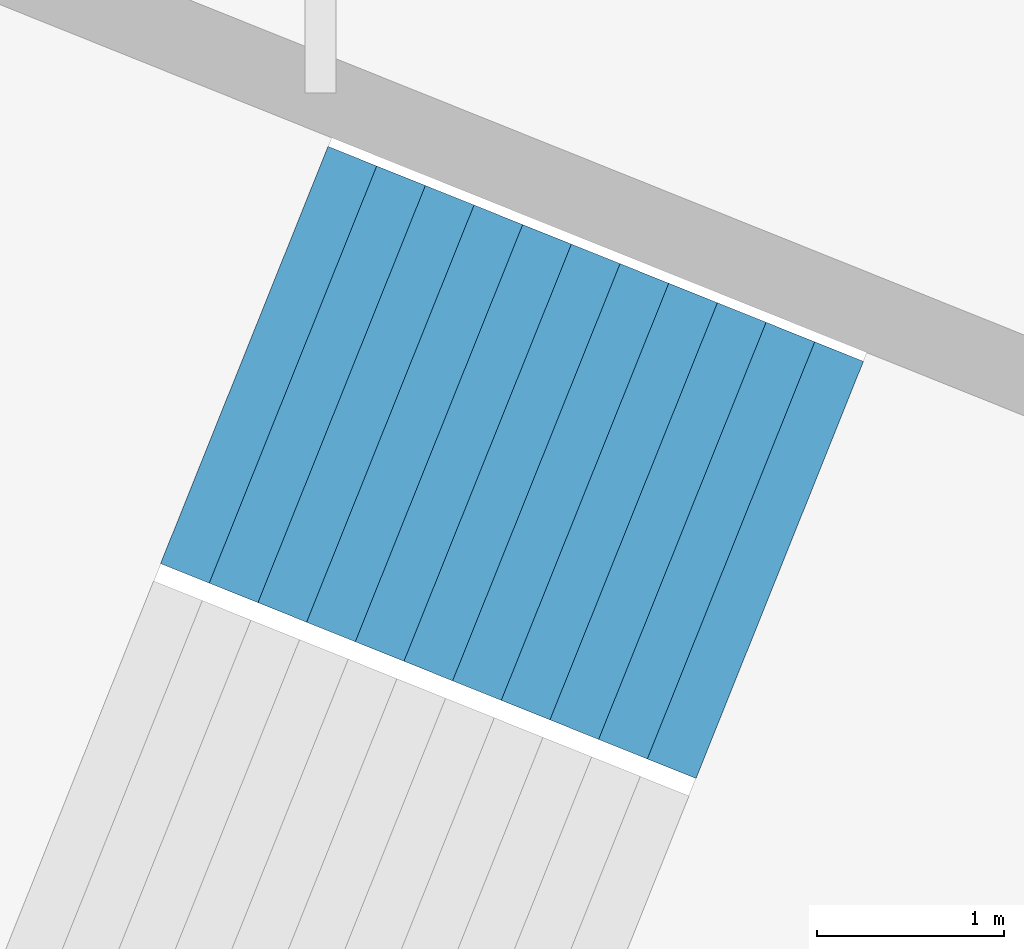
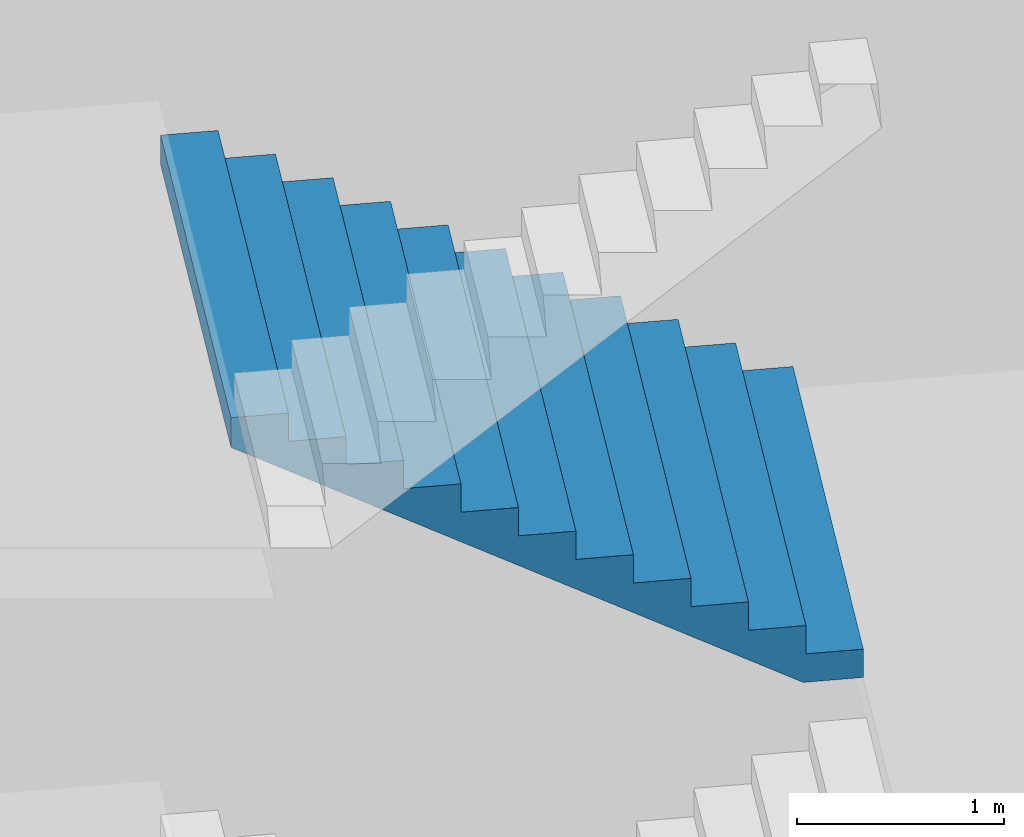
# One storey, part 37 of 74: 1 stair flight, 1 element without a shape of its own.
"""IFC4 building model written with IfcOpenShell, lengths in metres."""

from ifc_helpers import new_model, si_unit, direction, frame, origin, place, context, subcontext, project, spatial, triangles, material, type_object, element, aggregate, save


model = new_model("IFC4")

# Units and contexts
model_context = context("Model", 3, precision=1e-05, world=origin(), true_north=direction((0.0, 1.0)))
body_context = subcontext(model_context, "Body", "Model", "MODEL_VIEW")
ifc_project = project(units=[si_unit("LENGTHUNIT", "METRE"), si_unit("AREAUNIT", "SQUARE_METRE"), si_unit("VOLUMEUNIT", "CUBIC_METRE"), si_unit("PLANEANGLEUNIT", "RADIAN"), si_unit("MASSUNIT", "GRAM", prefix="KILO")], contexts=[model_context])

# Site, building, storey
site_placement = place(None, origin())
site = spatial("IfcSite", under=ifc_project, at=site_placement, CompositionType="ELEMENT")
building_placement = place(site_placement, origin())
building = spatial("IfcBuilding", under=site, at=building_placement, Name="Lantaw Convention Tower", CompositionType="ELEMENT")
storey_placement = place(building_placement, frame((0.0, 0.0, 6.5)))
storey = spatial("IfcBuildingStorey", under=building, at=storey_placement, Name="L01", CompositionType="ELEMENT", Elevation=6.5)

# Stair, stair flight
ifc_material = material(Name="Concrete C35/45", Category="concrete")
stair_type = type_object("IfcStairType", Name="Exit stair 2400 riser 166.67 in 4 flights", PredefinedType="HALF_TURN_STAIR", material=ifc_material)
stair_placement = place(storey_placement, origin())
stair = element("IfcStair", 1, at=stair_placement, inside=storey, type_object=stair_type, Name="Podium exit stair P8 L01", PredefinedType="HALF_TURN_STAIR")
stair_flight_type = type_object("IfcStairFlightType", Name="Stair flight 2400 riser 166.67", PredefinedType="STRAIGHT", material=ifc_material)
stair_flight_placement = place(storey_placement, frame((-35.799560546875, 15.71826171875, 4.0), z_axis=(0.0, 0.0, 1.0), x_axis=(-0.928015168305, 0.372542410198, 0.0)))
stair_flight = element("IfcStairFlight", 2, at=stair_flight_placement, type_object=stair_flight_type, Name="P8 flight 3", NumberOfRisers=12, NumberOfTreads=11, PredefinedType="STRAIGHT", RiserHeight=0.166666667, TreadLength=0.28, context=body_context, shape_type="Tessellation", body=[
    triangles([(0.0, 1.199951171875, 0.0), (0.0, 1.199951171875, 0.166666667), (0.28, 1.199951171875, 0.0), (0.28, 1.199951171875, 0.166666667), (0.28, 1.199951171875, 0.333333334), (0.29307345806906726, 1.199951171875, 0.0), (0.29307345806906726, 1.199951171875, 0.333333334), (0.56, 1.199951171875, 0.15888484670522965), (0.56, 1.199951171875, 0.333333334), (0.56, 1.199951171875, 0.500000001), (0.8400000000000001, 1.199951171875, 0.3255515137052296), (0.8400000000000001, 1.199951171875, 0.500000001), (0.8400000000000001, 1.199951171875, 0.666666668), (1.12, 1.199951171875, 0.4922181807052296), (1.12, 1.199951171875, 0.666666668), (1.12, 1.199951171875, 0.833333335), (1.4000000000000001, 1.199951171875, 0.6588848477052296), (1.4000000000000001, 1.199951171875, 0.833333335), (1.4000000000000001, 1.199951171875, 1.000000002), (1.6800000000000002, 1.199951171875, 0.8255515147052296), (1.6800000000000002, 1.199951171875, 1.000000002), (1.6800000000000002, 1.199951171875, 1.166666669), (1.9600000000000002, 1.199951171875, 0.9922181817052296), (1.9600000000000002, 1.199951171875, 1.166666669), (1.9600000000000002, 1.199951171875, 1.333333336), (2.24, 1.199951171875, 1.1588848487052295), (2.24, 1.199951171875, 1.333333336), (2.24, 1.199951171875, 1.5000000029999998), (2.5200000000000005, 1.199951171875, 1.3255515157052296), (2.5200000000000005, 1.199951171875, 1.5000000029999998), (2.5200000000000005, 1.199951171875, 1.66666667), (2.8000000000000003, 1.199951171875, 1.4922181827052294), (2.8000000000000003, 1.199951171875, 1.66666667), (2.8000000000000003, 1.199951171875, 1.833333337), (3.08, 1.199951171875, 1.6588848497052293), (3.08, 1.199951171875, 1.833333337), (0.0, -1.199951171875, 0.0), (0.0, -1.199951171875, 0.166666667), (0.28, -1.199951171875, 0.0), (0.28, -1.199951171875, 0.166666667), (0.28, -1.199951171875, 0.333333334), (0.29307345806906726, -1.199951171875, 0.0), (0.29307345806906726, -1.199951171875, 0.333333334), (0.56, -1.199951171875, 0.15888484670522965), (0.56, -1.199951171875, 0.333333334), (0.56, -1.199951171875, 0.500000001), (0.8400000000000001, -1.199951171875, 0.3255515137052296), (0.8400000000000001, -1.199951171875, 0.500000001), (0.8400000000000001, -1.199951171875, 0.666666668), (1.12, -1.199951171875, 0.4922181807052296), (1.12, -1.199951171875, 0.666666668), (1.12, -1.199951171875, 0.833333335), (1.4000000000000001, -1.199951171875, 0.6588848477052296), (1.4000000000000001, -1.199951171875, 0.833333335), (1.4000000000000001, -1.199951171875, 1.000000002), (1.6800000000000002, -1.199951171875, 0.8255515147052296), (1.6800000000000002, -1.199951171875, 1.000000002), (1.6800000000000002, -1.199951171875, 1.166666669), (1.9600000000000002, -1.199951171875, 0.9922181817052296), (1.9600000000000002, -1.199951171875, 1.166666669), (1.9600000000000002, -1.199951171875, 1.333333336), (2.24, -1.199951171875, 1.1588848487052295), (2.24, -1.199951171875, 1.333333336), (2.24, -1.199951171875, 1.5000000029999998), (2.5200000000000005, -1.199951171875, 1.3255515157052296), (2.5200000000000005, -1.199951171875, 1.5000000029999998), (2.5200000000000005, -1.199951171875, 1.66666667), (2.8000000000000003, -1.199951171875, 1.4922181827052294), (2.8000000000000003, -1.199951171875, 1.66666667), (2.8000000000000003, -1.199951171875, 1.833333337), (3.08, -1.199951171875, 1.6588848497052293), (3.08, -1.199951171875, 1.833333337), (0.0, 0.239990234375, 0.166666667), (0.0, 0.239990234375, 0.0), (0.0, 0.1199951171875, 0.166666667), (0.0, 0.1199951171875, 0.0), (0.0, 0.0, 0.166666667), (0.0, 0.0, 0.0), (0.0, -0.1199951171875, 0.166666667), (0.0, -0.1199951171875, 0.0), (0.0, -0.239990234375, 0.166666667), (0.0, -0.239990234375, 0.0), (0.28, 0.239990234375, 0.333333334), (0.28, 0.239990234375, 0.166666667), (0.28, 0.1199951171875, 0.333333334), (0.28, 0.1199951171875, 0.166666667), (0.28, 0.0, 0.333333334), (0.28, 0.0, 0.166666667), (0.28, -0.1199951171875, 0.333333334), (0.28, -0.1199951171875, 0.166666667), (0.28, -0.239990234375, 0.333333334), (0.28, -0.239990234375, 0.166666667), (0.56, 0.239990234375, 0.500000001), (0.56, 0.239990234375, 0.333333334), (0.56, 0.1199951171875, 0.500000001), (0.56, 0.1199951171875, 0.333333334), (0.56, 0.0, 0.500000001), (0.56, 0.0, 0.333333334), (0.56, -0.1199951171875, 0.500000001), (0.56, -0.1199951171875, 0.333333334), (0.56, -0.239990234375, 0.500000001), (0.56, -0.239990234375, 0.333333334), (0.8400000000000001, 0.239990234375, 0.666666668), (0.8400000000000001, 0.239990234375, 0.500000001), (0.8400000000000001, 0.1199951171875, 0.666666668), (0.8400000000000001, 0.1199951171875, 0.500000001), (0.8400000000000001, 0.0, 0.666666668), (0.8400000000000001, 0.0, 0.500000001), (0.8400000000000001, -0.1199951171875, 0.666666668), (0.8400000000000001, -0.1199951171875, 0.500000001), (0.8400000000000001, -0.239990234375, 0.666666668), (0.8400000000000001, -0.239990234375, 0.500000001), (1.12, 0.239990234375, 0.833333335), (1.12, 0.239990234375, 0.666666668), (1.12, 0.1199951171875, 0.833333335), (1.12, 0.1199951171875, 0.666666668), (1.12, 0.0, 0.833333335), (1.12, 0.0, 0.666666668), (1.12, -0.1199951171875, 0.833333335), (1.12, -0.1199951171875, 0.666666668), (1.12, -0.239990234375, 0.833333335), (1.12, -0.239990234375, 0.666666668), (1.4000000000000001, 0.239990234375, 1.000000002), (1.4000000000000001, 0.239990234375, 0.833333335), (1.4000000000000001, 0.1199951171875, 1.000000002), (1.4000000000000001, 0.1199951171875, 0.833333335), (1.4000000000000001, 0.0, 1.000000002), (1.4000000000000001, 0.0, 0.833333335), (1.4000000000000001, -0.1199951171875, 1.000000002), (1.4000000000000001, -0.1199951171875, 0.833333335), (1.4000000000000001, -0.239990234375, 1.000000002), (1.4000000000000001, -0.239990234375, 0.833333335), (1.6800000000000002, 0.239990234375, 1.166666669), (1.6800000000000002, 0.239990234375, 1.000000002), (1.6800000000000002, 0.1199951171875, 1.166666669), (1.6800000000000002, 0.1199951171875, 1.000000002), (1.6800000000000002, 0.0, 1.166666669), (1.6800000000000002, 0.0, 1.000000002), (1.6800000000000002, -0.1199951171875, 1.166666669), (1.6800000000000002, -0.1199951171875, 1.000000002), (1.6800000000000002, -0.239990234375, 1.166666669), (1.6800000000000002, -0.239990234375, 1.000000002), (1.9600000000000002, 0.239990234375, 1.333333336), (1.9600000000000002, 0.239990234375, 1.166666669), (1.9600000000000002, 0.1199951171875, 1.333333336), (1.9600000000000002, 0.1199951171875, 1.166666669), (1.9600000000000002, 0.0, 1.333333336), (1.9600000000000002, 0.0, 1.166666669), (1.9600000000000002, -0.1199951171875, 1.333333336), (1.9600000000000002, -0.1199951171875, 1.166666669), (1.9600000000000002, -0.239990234375, 1.333333336), (1.9600000000000002, -0.239990234375, 1.166666669), (2.24, 0.239990234375, 1.5000000029999998), (2.24, 0.239990234375, 1.333333336), (2.24, 0.1199951171875, 1.5000000029999998), (2.24, 0.1199951171875, 1.333333336), (2.24, 0.0, 1.5000000029999998), (2.24, 0.0, 1.333333336), (2.24, -0.1199951171875, 1.5000000029999998), (2.24, -0.1199951171875, 1.333333336), (2.24, -0.239990234375, 1.5000000029999998), (2.24, -0.239990234375, 1.333333336), (2.5200000000000005, 0.239990234375, 1.66666667), (2.5200000000000005, 0.239990234375, 1.5000000029999998), (2.5200000000000005, 0.1199951171875, 1.66666667), (2.5200000000000005, 0.1199951171875, 1.5000000029999998), (2.5200000000000005, 0.0, 1.66666667), (2.5200000000000005, 0.0, 1.5000000029999998), (2.5200000000000005, -0.1199951171875, 1.66666667), (2.5200000000000005, -0.1199951171875, 1.5000000029999998), (2.5200000000000005, -0.239990234375, 1.66666667), (2.5200000000000005, -0.239990234375, 1.5000000029999998), (2.8000000000000003, 0.239990234375, 1.833333337), (2.8000000000000003, 0.239990234375, 1.66666667), (2.8000000000000003, 0.1199951171875, 1.833333337), (2.8000000000000003, 0.1199951171875, 1.66666667), (2.8000000000000003, 0.0, 1.833333337), (2.8000000000000003, 0.0, 1.66666667), (2.8000000000000003, -0.1199951171875, 1.833333337), (2.8000000000000003, -0.1199951171875, 1.66666667), (2.8000000000000003, -0.239990234375, 1.833333337), (2.8000000000000003, -0.239990234375, 1.66666667), (0.29307345806906726, 0.239990234375, 0.333333334), (0.29307345806906726, 0.1199951171875, 0.333333334), (0.29307345806906726, 0.0, 0.333333334), (0.29307345806906726, -0.1199951171875, 0.333333334), (0.29307345806906726, -0.239990234375, 0.333333334), (3.08, 0.239990234375, 1.833333337), (3.08, 0.1199951171875, 1.833333337), (3.08, 0.0, 1.833333337), (3.08, -0.1199951171875, 1.833333337), (3.08, -0.239990234375, 1.833333337), (3.08, 0.239990234375, 1.6588848497052293), (3.08, 0.1199951171875, 1.6588848497052293), (3.08, 0.0, 1.6588848497052293), (3.08, -0.1199951171875, 1.6588848497052293), (3.08, -0.239990234375, 1.6588848497052293), (2.8000000000000003, 0.239990234375, 1.4922181827052294), (2.8000000000000003, 0.1199951171875, 1.4922181827052294), (2.8000000000000003, 0.0, 1.4922181827052294), (2.8000000000000003, -0.1199951171875, 1.4922181827052294), (2.8000000000000003, -0.239990234375, 1.4922181827052294), (2.5200000000000005, 0.239990234375, 1.3255515157052296), (2.5200000000000005, 0.1199951171875, 1.3255515157052296), (2.5200000000000005, 0.0, 1.3255515157052296), (2.5200000000000005, -0.1199951171875, 1.3255515157052296), (2.5200000000000005, -0.239990234375, 1.3255515157052296), (2.24, 0.239990234375, 1.1588848487052295), (2.24, 0.1199951171875, 1.1588848487052295), (2.24, 0.0, 1.1588848487052295), (2.24, -0.1199951171875, 1.1588848487052295), (2.24, -0.239990234375, 1.1588848487052295), (1.9600000000000002, 0.239990234375, 0.9922181817052296), (1.9600000000000002, 0.1199951171875, 0.9922181817052296), (1.9600000000000002, 0.0, 0.9922181817052296), (1.9600000000000002, -0.1199951171875, 0.9922181817052296), (1.9600000000000002, -0.239990234375, 0.9922181817052296), (1.6800000000000002, 0.239990234375, 0.8255515147052296), (1.6800000000000002, 0.1199951171875, 0.8255515147052296), (1.6800000000000002, 0.0, 0.8255515147052296), (1.6800000000000002, -0.1199951171875, 0.8255515147052296), (1.6800000000000002, -0.239990234375, 0.8255515147052296), (1.4000000000000001, 0.239990234375, 0.6588848477052296), (1.4000000000000001, 0.1199951171875, 0.6588848477052296), (1.4000000000000001, 0.0, 0.6588848477052296), (1.4000000000000001, -0.1199951171875, 0.6588848477052296), (1.4000000000000001, -0.239990234375, 0.6588848477052296), (1.12, 0.239990234375, 0.4922181807052296), (1.12, 0.1199951171875, 0.4922181807052296), (1.12, 0.0, 0.4922181807052296), (1.12, -0.1199951171875, 0.4922181807052296), (1.12, -0.239990234375, 0.4922181807052296), (0.8400000000000001, 0.239990234375, 0.3255515137052296), (0.8400000000000001, 0.1199951171875, 0.3255515137052296), (0.8400000000000001, 0.0, 0.3255515137052296), (0.8400000000000001, -0.1199951171875, 0.3255515137052296), (0.8400000000000001, -0.239990234375, 0.3255515137052296), (0.56, 0.239990234375, 0.15888484670522965), (0.56, 0.1199951171875, 0.15888484670522965), (0.56, 0.0, 0.15888484670522965), (0.56, -0.1199951171875, 0.15888484670522965), (0.56, -0.239990234375, 0.15888484670522965), (0.29307345806906726, 0.239990234375, 0.0), (0.29307345806906726, 0.1199951171875, 0.0), (0.29307345806906726, 0.0, 0.0), (0.29307345806906726, -0.1199951171875, 0.0), (0.29307345806906726, -0.239990234375, 0.0), (0.28, 0.239990234375, 0.0), (0.28, 0.1199951171875, 0.0), (0.28, 0.0, 0.0), (0.28, -0.1199951171875, 0.0), (0.28, -0.239990234375, 0.0)], [[1, 4, 3], [1, 2, 4], [3, 4, 6], [4, 7, 6], [4, 5, 7], [6, 9, 8], [6, 7, 9], [8, 9, 11], [9, 12, 11], [9, 10, 12], [11, 12, 14], [12, 15, 14], [12, 13, 15], [14, 15, 17], [15, 18, 17], [15, 16, 18], [17, 18, 20], [18, 21, 20], [18, 19, 21], [20, 21, 23], [21, 24, 23], [21, 22, 24], [23, 24, 26], [24, 27, 26], [24, 25, 27], [26, 27, 29], [27, 30, 29], [27, 28, 30], [29, 30, 32], [30, 33, 32], [30, 31, 33], [32, 33, 35], [33, 36, 35], [33, 34, 36], [37, 39, 40], [37, 40, 38], [39, 42, 40], [40, 42, 43], [40, 43, 41], [42, 44, 45], [42, 45, 43], [44, 47, 45], [45, 47, 48], [45, 48, 46], [47, 50, 48], [48, 50, 51], [48, 51, 49], [50, 53, 51], [51, 53, 54], [51, 54, 52], [53, 56, 54], [54, 56, 57], [54, 57, 55], [56, 59, 57], [57, 59, 60], [57, 60, 58], [59, 62, 60], [60, 62, 63], [60, 63, 61], [62, 65, 63], [63, 65, 66], [63, 66, 64], [65, 68, 66], [66, 68, 69], [66, 69, 67], [68, 71, 69], [69, 71, 72], [69, 72, 70], [1, 73, 2], [1, 74, 73], [74, 75, 73], [74, 76, 75], [76, 77, 75], [76, 78, 77], [78, 79, 77], [78, 80, 79], [80, 81, 79], [80, 82, 81], [82, 38, 81], [82, 37, 38], [4, 83, 5], [4, 84, 83], [84, 85, 83], [84, 86, 85], [86, 87, 85], [86, 88, 87], [88, 89, 87], [88, 90, 89], [90, 91, 89], [90, 92, 91], [92, 41, 91], [92, 40, 41], [9, 93, 10], [9, 94, 93], [94, 95, 93], [94, 96, 95], [96, 97, 95], [96, 98, 97], [98, 99, 97], [98, 100, 99], [100, 101, 99], [100, 102, 101], [102, 46, 101], [102, 45, 46], [12, 103, 13], [12, 104, 103], [104, 105, 103], [104, 106, 105], [106, 107, 105], [106, 108, 107], [108, 109, 107], [108, 110, 109], [110, 111, 109], [110, 112, 111], [112, 49, 111], [112, 48, 49], [15, 113, 16], [15, 114, 113], [114, 115, 113], [114, 116, 115], [116, 117, 115], [116, 118, 117], [118, 119, 117], [118, 120, 119], [120, 121, 119], [120, 122, 121], [122, 52, 121], [122, 51, 52], [18, 123, 19], [18, 124, 123], [124, 125, 123], [124, 126, 125], [126, 127, 125], [126, 128, 127], [128, 129, 127], [128, 130, 129], [130, 131, 129], [130, 132, 131], [132, 55, 131], [132, 54, 55], [21, 133, 22], [21, 134, 133], [134, 135, 133], [134, 136, 135], [136, 137, 135], [136, 138, 137], [138, 139, 137], [138, 140, 139], [140, 141, 139], [140, 142, 141], [142, 58, 141], [142, 57, 58], [24, 143, 25], [24, 144, 143], [144, 145, 143], [144, 146, 145], [146, 147, 145], [146, 148, 147], [148, 149, 147], [148, 150, 149], [150, 151, 149], [150, 152, 151], [152, 61, 151], [152, 60, 61], [27, 153, 28], [27, 154, 153], [154, 155, 153], [154, 156, 155], [156, 157, 155], [156, 158, 157], [158, 159, 157], [158, 160, 159], [160, 161, 159], [160, 162, 161], [162, 64, 161], [162, 63, 64], [30, 163, 31], [30, 164, 163], [164, 165, 163], [164, 166, 165], [166, 167, 165], [166, 168, 167], [168, 169, 167], [168, 170, 169], [170, 171, 169], [170, 172, 171], [172, 67, 171], [172, 66, 67], [33, 173, 34], [33, 174, 173], [174, 175, 173], [174, 176, 175], [176, 177, 175], [176, 178, 177], [178, 179, 177], [178, 180, 179], [180, 181, 179], [180, 182, 181], [182, 70, 181], [182, 69, 70], [2, 84, 4], [2, 73, 84], [73, 86, 84], [73, 75, 86], [75, 88, 86], [75, 77, 88], [77, 90, 88], [77, 79, 90], [79, 92, 90], [79, 81, 92], [81, 40, 92], [81, 38, 40], [5, 183, 7], [5, 83, 183], [83, 184, 183], [83, 85, 184], [85, 185, 184], [85, 87, 185], [87, 186, 185], [87, 89, 186], [89, 187, 186], [89, 91, 187], [91, 43, 187], [91, 41, 43], [7, 94, 9], [7, 183, 94], [183, 96, 94], [183, 184, 96], [184, 98, 96], [184, 185, 98], [185, 100, 98], [185, 186, 100], [186, 102, 100], [186, 187, 102], [187, 45, 102], [187, 43, 45], [10, 104, 12], [10, 93, 104], [93, 106, 104], [93, 95, 106], [95, 108, 106], [95, 97, 108], [97, 110, 108], [97, 99, 110], [99, 112, 110], [99, 101, 112], [101, 48, 112], [101, 46, 48], [13, 114, 15], [13, 103, 114], [103, 116, 114], [103, 105, 116], [105, 118, 116], [105, 107, 118], [107, 120, 118], [107, 109, 120], [109, 122, 120], [109, 111, 122], [111, 51, 122], [111, 49, 51], [16, 124, 18], [16, 113, 124], [113, 126, 124], [113, 115, 126], [115, 128, 126], [115, 117, 128], [117, 130, 128], [117, 119, 130], [119, 132, 130], [119, 121, 132], [121, 54, 132], [121, 52, 54], [19, 134, 21], [19, 123, 134], [123, 136, 134], [123, 125, 136], [125, 138, 136], [125, 127, 138], [127, 140, 138], [127, 129, 140], [129, 142, 140], [129, 131, 142], [131, 57, 142], [131, 55, 57], [22, 144, 24], [22, 133, 144], [133, 146, 144], [133, 135, 146], [135, 148, 146], [135, 137, 148], [137, 150, 148], [137, 139, 150], [139, 152, 150], [139, 141, 152], [141, 60, 152], [141, 58, 60], [25, 154, 27], [25, 143, 154], [143, 156, 154], [143, 145, 156], [145, 158, 156], [145, 147, 158], [147, 160, 158], [147, 149, 160], [149, 162, 160], [149, 151, 162], [151, 63, 162], [151, 61, 63], [28, 164, 30], [28, 153, 164], [153, 166, 164], [153, 155, 166], [155, 168, 166], [155, 157, 168], [157, 170, 168], [157, 159, 170], [159, 172, 170], [159, 161, 172], [161, 66, 172], [161, 64, 66], [31, 174, 33], [31, 163, 174], [163, 176, 174], [163, 165, 176], [165, 178, 176], [165, 167, 178], [167, 180, 178], [167, 169, 180], [169, 182, 180], [169, 171, 182], [171, 69, 182], [171, 67, 69], [34, 188, 36], [34, 173, 188], [173, 189, 188], [173, 175, 189], [175, 190, 189], [175, 177, 190], [177, 191, 190], [177, 179, 191], [179, 192, 191], [179, 181, 192], [181, 72, 192], [181, 70, 72], [36, 193, 35], [36, 188, 193], [188, 194, 193], [188, 189, 194], [189, 195, 194], [189, 190, 195], [190, 196, 195], [190, 191, 196], [191, 197, 196], [191, 192, 197], [192, 71, 197], [192, 72, 71], [35, 198, 32], [35, 193, 198], [193, 199, 198], [193, 194, 199], [194, 200, 199], [194, 195, 200], [195, 201, 200], [195, 196, 201], [196, 202, 201], [196, 197, 202], [197, 68, 202], [197, 71, 68], [32, 203, 29], [32, 198, 203], [198, 204, 203], [198, 199, 204], [199, 205, 204], [199, 200, 205], [200, 206, 205], [200, 201, 206], [201, 207, 206], [201, 202, 207], [202, 65, 207], [202, 68, 65], [29, 208, 26], [29, 203, 208], [203, 209, 208], [203, 204, 209], [204, 210, 209], [204, 205, 210], [205, 211, 210], [205, 206, 211], [206, 212, 211], [206, 207, 212], [207, 62, 212], [207, 65, 62], [26, 213, 23], [26, 208, 213], [208, 214, 213], [208, 209, 214], [209, 215, 214], [209, 210, 215], [210, 216, 215], [210, 211, 216], [211, 217, 216], [211, 212, 217], [212, 59, 217], [212, 62, 59], [23, 218, 20], [23, 213, 218], [213, 219, 218], [213, 214, 219], [214, 220, 219], [214, 215, 220], [215, 221, 220], [215, 216, 221], [216, 222, 221], [216, 217, 222], [217, 56, 222], [217, 59, 56], [20, 223, 17], [20, 218, 223], [218, 224, 223], [218, 219, 224], [219, 225, 224], [219, 220, 225], [220, 226, 225], [220, 221, 226], [221, 227, 226], [221, 222, 227], [222, 53, 227], [222, 56, 53], [17, 228, 14], [17, 223, 228], [223, 229, 228], [223, 224, 229], [224, 230, 229], [224, 225, 230], [225, 231, 230], [225, 226, 231], [226, 232, 231], [226, 227, 232], [227, 50, 232], [227, 53, 50], [14, 233, 11], [14, 228, 233], [228, 234, 233], [228, 229, 234], [229, 235, 234], [229, 230, 235], [230, 236, 235], [230, 231, 236], [231, 237, 236], [231, 232, 237], [232, 47, 237], [232, 50, 47], [11, 238, 8], [11, 233, 238], [233, 239, 238], [233, 234, 239], [234, 240, 239], [234, 235, 240], [235, 241, 240], [235, 236, 241], [236, 242, 241], [236, 237, 242], [237, 44, 242], [237, 47, 44], [8, 243, 6], [8, 238, 243], [238, 244, 243], [238, 239, 244], [239, 245, 244], [239, 240, 245], [240, 246, 245], [240, 241, 246], [241, 247, 246], [241, 242, 247], [242, 42, 247], [242, 44, 42], [6, 248, 3], [6, 243, 248], [243, 249, 248], [243, 244, 249], [244, 250, 249], [244, 245, 250], [245, 251, 250], [245, 246, 251], [246, 252, 251], [246, 247, 252], [247, 39, 252], [247, 42, 39], [3, 74, 1], [3, 248, 74], [248, 76, 74], [248, 249, 76], [249, 78, 76], [249, 250, 78], [250, 80, 78], [250, 251, 80], [251, 82, 80], [251, 252, 82], [252, 37, 82], [252, 39, 37]], closed=True),
])
aggregate(stair, [stair_flight])

save(model, "model.ifc")
